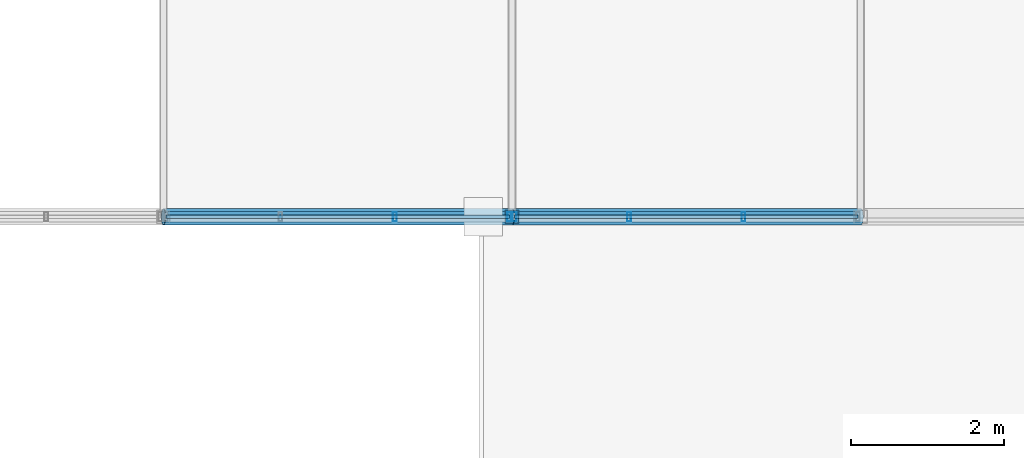
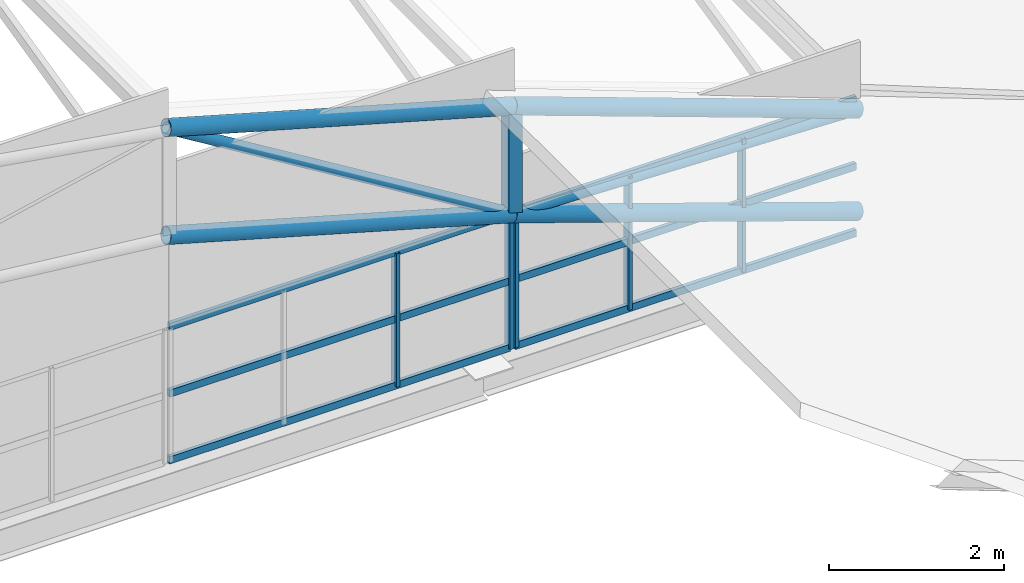
# One storey, part 65 of 101: 18 members, 2 elements without a shape of their own.
"""IFC4 building model written with IfcOpenShell, lengths in metres."""

from ifc_helpers import new_model, si_unit, direction, frame, origin, origin_2d, place, context, subcontext, project, spatial, hollow_rectangle, hollow_circle, extrude, material, material_profile, profile_set, type_object, element, aggregate, save


model = new_model("IFC4")

# Units and contexts
model_context = context("Model", 3, precision=1e-05, world=origin(), true_north=direction((0.0, 1.0)))
body_context = subcontext(model_context, "Body", "Model", "MODEL_VIEW")
ifc_project = project(units=[si_unit("LENGTHUNIT", "METRE"), si_unit("AREAUNIT", "SQUARE_METRE"), si_unit("VOLUMEUNIT", "CUBIC_METRE"), si_unit("PLANEANGLEUNIT", "RADIAN"), si_unit("MASSUNIT", "GRAM", prefix="KILO")], contexts=[model_context])

# Site, building, storey
site_placement = place(None, origin())
site = spatial("IfcSite", under=ifc_project, at=site_placement, CompositionType="ELEMENT")
building_placement = place(site_placement, origin())
building = spatial("IfcBuilding", under=site, at=building_placement, Name="Solvikara Media Centre", CompositionType="ELEMENT")
storey_placement = place(building_placement, frame((0.0, 0.0, 10.199951171875)))
storey = spatial("IfcBuildingStorey", under=building, at=storey_placement, Name="L02", CompositionType="ELEMENT", Elevation=10.199951171875)

# Members
ifc_material_1 = material(Name="Steel S355JR", Category="steel")
ifc_material_profile_1 = material_profile(ifc_material_1, hollow_circle(Radius=0.109619140625, WallThickness=0.008056640625, at=origin_2d()), Name="CHS 219.1x8")
ifc_profile_set_1 = profile_set([ifc_material_profile_1], Name="Steel S355JR")
member_type_1 = type_object("IfcMemberType", Name="MB-05", PredefinedType="CHORD", material=ifc_profile_set_1)
for number, where, z_axis, x_axis, name in (
    (1, (150.31201171875, 89.0, 4.658935546875), (0.962119975268, 0.0, -0.272626398556), (0.0, 1.0, 0.0), "BSB-TC-00-05"),
    (2, (150.31201171875, 89.0, 3.158935546875), (0.962119975268, 0.0, -0.272626398556), (0.0, 1.0, 0.0), "BSB-BC-00-05"),
):
    element("IfcMember", number, at=place(storey_placement, frame(where, z_axis=z_axis, x_axis=x_axis)), inside=storey, type_object=member_type_1, Name=name, PredefinedType="CHORD", context=body_context, shape_type="SweptSolid", body=[
        extrude(hollow_circle(Radius=0.109619140625, WallThickness=0.008056640625, at=origin_2d()), origin(), (0.0, 0.0, 1.0), 4.74267578125),
    ])
member_1_placement = place(storey_placement, frame((154.875, 89.0, 3.365966796875), z_axis=(0.940941951614, 0.0, -0.338567930691), x_axis=(0.0, 1.0, 0.0)))
element("IfcMember", 3, at=member_1_placement, inside=storey, type_object=member_type_1, Name="BSB-TC-00-06", PredefinedType="CHORD", context=body_context, shape_type="SweptSolid", body=[
    extrude(hollow_circle(Radius=0.109619140625, WallThickness=0.008056640625, at=origin_2d()), origin(), (0.0, 0.0, 1.0), 4.849365234375),
])
member_2_placement = place(storey_placement, frame((154.875, 89.0, 1.865966796875), z_axis=(0.94585275082, 0.0, -0.324596016252), x_axis=(0.0, 1.0, 0.0)))
element("IfcMember", 4, at=member_2_placement, inside=storey, type_object=member_type_1, Name="BSB-BC-00-06", PredefinedType="CHORD", context=body_context, shape_type="SweptSolid", body=[
    extrude(hollow_circle(Radius=0.109619140625, WallThickness=0.008056640625, at=origin_2d()), origin(), (0.0, 0.0, 1.0), 4.82421875),
])
ifc_material_profile_2 = material_profile(ifc_material_1, hollow_circle(Radius=0.06982421875, WallThickness=0.00634765625, at=origin_2d()), Name="CHS 139.7x6.3")
ifc_profile_set_2 = profile_set([ifc_material_profile_2], Name="Steel S355JR")
member_type_2 = type_object("IfcMemberType", Name="MB-08", PredefinedType="BRACE", material=ifc_profile_set_2)
member_3_placement = place(storey_placement, frame((150.31201171875, 89.0, 4.658935546875), z_axis=(0.852909361519, 0.0, -0.522059020641), x_axis=(0.0, 1.0, 0.0)))
element("IfcMember", 5, at=member_3_placement, inside=storey, type_object=member_type_2, Name="BSB-DG-00-05", PredefinedType="BRACE", context=body_context, shape_type="SweptSolid", body=[
    extrude(hollow_circle(Radius=0.06982421875, WallThickness=0.00634765625, at=origin_2d()), origin(), (0.0, 0.0, 1.0), 5.349853515625),
])
member_4_placement = place(storey_placement, frame((154.875, 89.0, 1.865966796875), z_axis=(0.999517175782, 0.0, -0.03107113318), x_axis=(0.0, 1.0, 0.0)))
element("IfcMember", 6, at=member_4_placement, inside=storey, type_object=member_type_2, Name="BSB-DG-00-06", PredefinedType="BRACE", context=body_context, shape_type="SweptSolid", body=[
    extrude(hollow_circle(Radius=0.06982421875, WallThickness=0.00634765625, at=origin_2d()), origin(), (0.0, 0.0, 1.0), 4.565185546875),
])
ifc_material_profile_3 = material_profile(ifc_material_1, hollow_rectangle(XDim=0.179931640625, YDim=0.179931640625, WallThickness=0.008056640625, at=origin_2d()), Name="RHS 180x180x8")
ifc_profile_set_3 = profile_set([ifc_material_profile_3], Name="Steel S355JR")
member_type_3 = type_object("IfcMemberType", Name="MB-14", PredefinedType="BRACE", material=ifc_profile_set_3)
member_5_placement = place(storey_placement, frame((154.875, 89.0, 1.865966796875), z_axis=(0.0, 0.0, 1.0), x_axis=(1.0, 0.0, 0.0)))
element("IfcMember", 7, at=member_5_placement, inside=storey, type_object=member_type_3, Name="BSB-VT-00-06", PredefinedType="BRACE", context=body_context, shape_type="SweptSolid", body=[
    extrude(hollow_rectangle(XDim=0.179931640625, YDim=0.179931640625, WallThickness=0.008056640625, at=origin_2d()), origin(), (0.0, 0.0, 1.0), 1.5),
])

# Curtain wall, members
ifc_material_2 = material(Name="Anodised aluminium EN AW-6063", Category="aluminium")
curtain_wall_type = type_object("IfcCurtainWallType", Name="CW-12", PredefinedType="NOTDEFINED", material=ifc_material_2)
curtain_wall_1_placement = place(storey_placement, origin())
curtain_wall_1 = element("IfcCurtainWall", 8, at=curtain_wall_1_placement, inside=storey, type_object=curtain_wall_type, Name="CW-BSBS-CLR-05", PredefinedType="NOTDEFINED")
ifc_material_profile_4 = material_profile(ifc_material_2, hollow_rectangle(XDim=0.050048828125, YDim=0.1201171875, WallThickness=0.0029296875, at=origin_2d()), Name="ALU-M 50x120x3")
ifc_profile_set_4 = profile_set([ifc_material_profile_4], Name="Anodised aluminium EN AW-6063")
member_type_4 = type_object("IfcMemberType", Name="MF-06", PredefinedType="MULLION", material=ifc_profile_set_4)
member_6_placement = place(storey_placement, frame((153.342041015625, 89.0, 0.02001953125), z_axis=(0.0, 0.0, 1.0), x_axis=(1.0, 0.0, 0.0)))
member_6 = element("IfcMember", 9, at=member_6_placement, type_object=member_type_4, Name="CW-BSBS-CLR-05-M02", PredefinedType="MULLION", context=body_context, shape_type="SweptSolid", body=[
    extrude(hollow_rectangle(XDim=0.050048828125, YDim=0.1201171875, WallThickness=0.0029296875, at=origin_2d()), origin(), (0.0, 0.0, 1.0), 1.860107421875),
])
member_7_placement = place(storey_placement, frame((154.840087890625, 89.0, 0.02001953125), z_axis=(0.0, 0.0, 1.0), x_axis=(1.0, 0.0, 0.0)))
member_7 = element("IfcMember", 10, at=member_7_placement, type_object=member_type_4, Name="CW-BSBS-CLR-05-M03", PredefinedType="MULLION", context=body_context, shape_type="SweptSolid", body=[
    extrude(hollow_rectangle(XDim=0.050048828125, YDim=0.1201171875, WallThickness=0.0029296875, at=origin_2d()), origin(), (0.0, 0.0, 1.0), 1.860107421875),
])

curtain_wall_2_placement = place(storey_placement, origin())
curtain_wall_2 = element("IfcCurtainWall", 11, at=curtain_wall_2_placement, inside=storey, type_object=curtain_wall_type, Name="CW-BSBS-CLR-06", PredefinedType="NOTDEFINED")
member_8_placement = place(storey_placement, frame((154.909912109375, 89.0, 0.02001953125), z_axis=(0.0, 0.0, 1.0), x_axis=(1.0, 0.0, 0.0)))
member_8 = element("IfcMember", 12, at=member_8_placement, type_object=member_type_4, Name="CW-BSBS-CLR-06-M00", PredefinedType="MULLION", context=body_context, shape_type="SweptSolid", body=[
    extrude(hollow_rectangle(XDim=0.050048828125, YDim=0.1201171875, WallThickness=0.0029296875, at=origin_2d()), origin(), (0.0, 0.0, 1.0), 1.860107421875),
])
member_9_placement = place(storey_placement, frame((156.407958984375, 89.0, 0.02001953125), z_axis=(0.0, 0.0, 1.0), x_axis=(1.0, 0.0, 0.0)))
member_9 = element("IfcMember", 13, at=member_9_placement, type_object=member_type_4, Name="CW-BSBS-CLR-06-M01", PredefinedType="MULLION", context=body_context, shape_type="SweptSolid", body=[
    extrude(hollow_rectangle(XDim=0.050048828125, YDim=0.1201171875, WallThickness=0.0029296875, at=origin_2d()), origin(), (0.0, 0.0, 1.0), 1.860107421875),
])
member_10_placement = place(storey_placement, frame((157.905029296875, 89.0, 0.02001953125), z_axis=(0.0, 0.0, 1.0), x_axis=(1.0, 0.0, 0.0)))
member_10 = element("IfcMember", 14, at=member_10_placement, type_object=member_type_4, Name="CW-BSBS-CLR-06-M02", PredefinedType="MULLION", context=body_context, shape_type="SweptSolid", body=[
    extrude(hollow_rectangle(XDim=0.050048828125, YDim=0.1201171875, WallThickness=0.0029296875, at=origin_2d()), origin(), (0.0, 0.0, 1.0), 1.860107421875),
])

# Member
ifc_material_profile_5 = material_profile(ifc_material_2, hollow_rectangle(XDim=0.050048828125, YDim=0.10009765625, WallThickness=0.0029296875, at=origin_2d()), Name="ALU-T 50x100x3")
ifc_profile_set_5 = profile_set([ifc_material_profile_5], Name="Anodised aluminium EN AW-6063")
member_type_5 = type_object("IfcMemberType", Name="MF-12", PredefinedType="USERDEFINED", material=ifc_profile_set_5)
member_11_placement = place(storey_placement, frame((150.346923828125, 89.0, 0.02001953125), z_axis=(1.0, 0.0, 0.0), x_axis=(0.0, 1.0, 0.0)))
member_11 = element("IfcMember", 15, at=member_11_placement, type_object=member_type_5, Name="CW-BSBS-CLR-05-T00", ObjectType="TRANSOM", PredefinedType="USERDEFINED", context=body_context, shape_type="SweptSolid", body=[
    extrude(hollow_rectangle(XDim=0.050048828125, YDim=0.10009765625, WallThickness=0.0029296875, at=origin_2d()), origin(), (0.0, 0.0, 1.0), 4.4931640625),
])

member_12_placement = place(storey_placement, frame((150.346923828125, 89.0, 0.949951171875), z_axis=(1.0, 0.0, 0.0), x_axis=(0.0, 1.0, 0.0)))
member_12 = element("IfcMember", 16, at=member_12_placement, type_object=member_type_5, Name="CW-BSBS-CLR-05-T01", ObjectType="TRANSOM", PredefinedType="USERDEFINED", context=body_context, shape_type="SweptSolid", body=[
    extrude(hollow_rectangle(XDim=0.050048828125, YDim=0.10009765625, WallThickness=0.0029296875, at=origin_2d()), origin(), (0.0, 0.0, 1.0), 4.4931640625),
])

member_13_placement = place(storey_placement, frame((150.346923828125, 89.0, 1.880126953125), z_axis=(1.0, 0.0, 0.0), x_axis=(0.0, 1.0, 0.0)))
member_13 = element("IfcMember", 17, at=member_13_placement, type_object=member_type_5, Name="CW-BSBS-CLR-05-T02", ObjectType="TRANSOM", PredefinedType="USERDEFINED", context=body_context, shape_type="SweptSolid", body=[
    extrude(hollow_rectangle(XDim=0.050048828125, YDim=0.10009765625, WallThickness=0.0029296875, at=origin_2d()), origin(), (0.0, 0.0, 1.0), 4.4931640625),
])

aggregate(curtain_wall_1, [member_6, member_7, member_11, member_12, member_13])

member_14_placement = place(storey_placement, frame((154.909912109375, 89.0, 0.02001953125), z_axis=(1.0, 0.0, 0.0), x_axis=(0.0, 1.0, 0.0)))
member_14 = element("IfcMember", 18, at=member_14_placement, type_object=member_type_5, Name="CW-BSBS-CLR-06-T00", ObjectType="TRANSOM", PredefinedType="USERDEFINED", context=body_context, shape_type="SweptSolid", body=[
    extrude(hollow_rectangle(XDim=0.050048828125, YDim=0.10009765625, WallThickness=0.0029296875, at=origin_2d()), origin(), (0.0, 0.0, 1.0), 4.4931640625),
])

member_15_placement = place(storey_placement, frame((154.909912109375, 89.0, 0.949951171875), z_axis=(1.0, 0.0, 0.0), x_axis=(0.0, 1.0, 0.0)))
member_15 = element("IfcMember", 19, at=member_15_placement, type_object=member_type_5, Name="CW-BSBS-CLR-06-T01", ObjectType="TRANSOM", PredefinedType="USERDEFINED", context=body_context, shape_type="SweptSolid", body=[
    extrude(hollow_rectangle(XDim=0.050048828125, YDim=0.10009765625, WallThickness=0.0029296875, at=origin_2d()), origin(), (0.0, 0.0, 1.0), 4.4931640625),
])

member_16_placement = place(storey_placement, frame((154.909912109375, 89.0, 1.880126953125), z_axis=(1.0, 0.0, 0.0), x_axis=(0.0, 1.0, 0.0)))
member_16 = element("IfcMember", 20, at=member_16_placement, type_object=member_type_5, Name="CW-BSBS-CLR-06-T02", ObjectType="TRANSOM", PredefinedType="USERDEFINED", context=body_context, shape_type="SweptSolid", body=[
    extrude(hollow_rectangle(XDim=0.050048828125, YDim=0.10009765625, WallThickness=0.0029296875, at=origin_2d()), origin(), (0.0, 0.0, 1.0), 4.4931640625),
])

aggregate(curtain_wall_2, [member_8, member_9, member_10, member_14, member_15, member_16])

save(model, "model.ifc")
